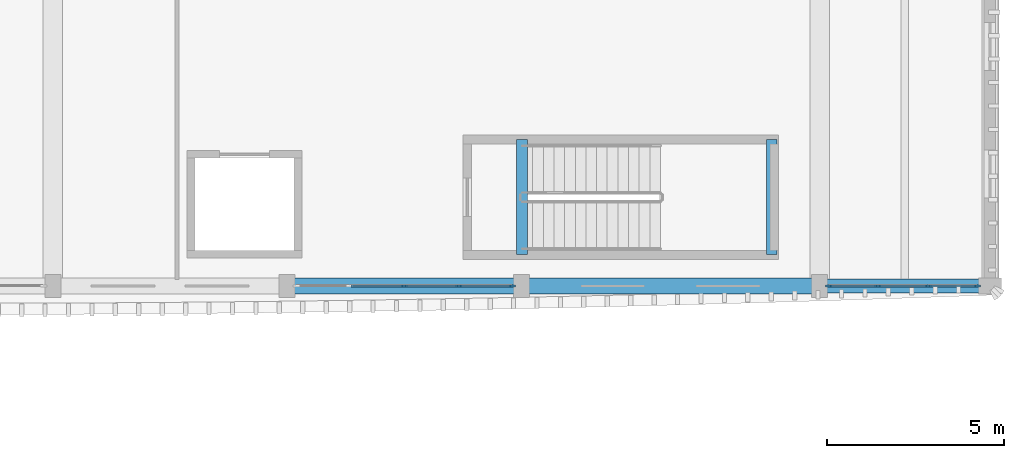
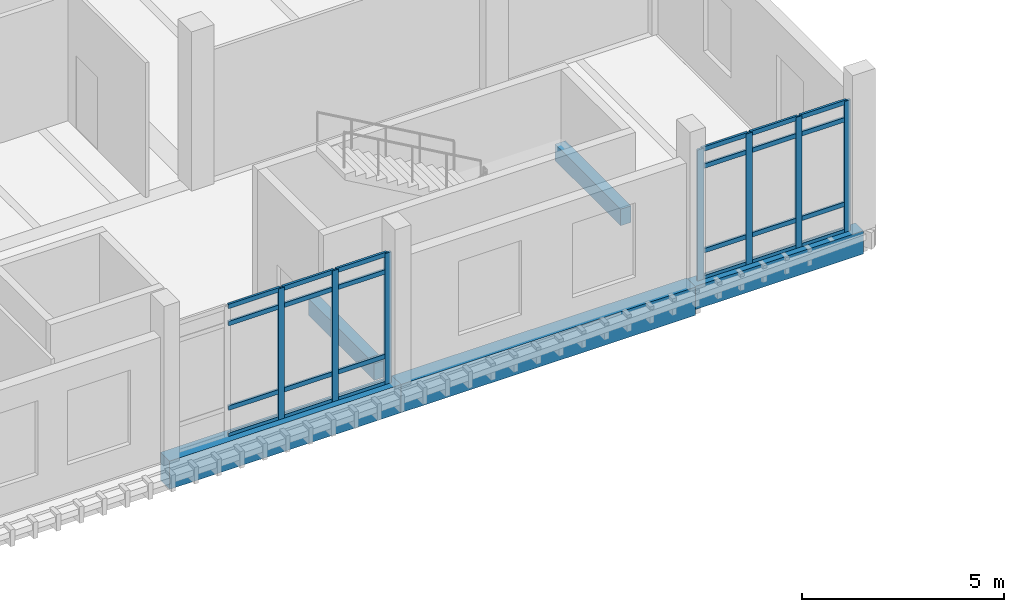
# One storey, part 29 of 76: 31 members, 5 beams, 2 elements without a shape of their own.
"""IFC4 building model written with IfcOpenShell, lengths in metres."""

from ifc_helpers import new_model, si_unit, direction, frame, origin, origin_2d, place, context, subcontext, project, spatial, rectangle, extrude, material, material_profile, profile_set, type_object, element, aggregate, save


model = new_model("IFC4")

# Units and contexts
model_context = context("Model", 3, precision=1e-05, world=origin(), true_north=direction((0.0, 1.0)))
body_context = subcontext(model_context, "Body", "Model", "MODEL_VIEW")
ifc_project = project(units=[si_unit("LENGTHUNIT", "METRE"), si_unit("AREAUNIT", "SQUARE_METRE"), si_unit("VOLUMEUNIT", "CUBIC_METRE"), si_unit("PLANEANGLEUNIT", "RADIAN"), si_unit("MASSUNIT", "GRAM", prefix="KILO")], contexts=[model_context])

# Site, building, storey
site_placement = place(None, origin())
site = spatial("IfcSite", under=ifc_project, at=site_placement, CompositionType="ELEMENT")
building_placement = place(site_placement, origin())
building = spatial("IfcBuilding", under=site, at=building_placement, Name="Dornvale Research Institute", CompositionType="ELEMENT")
storey_placement = place(building_placement, frame((0.0, 0.0, 15.0)))
storey = spatial("IfcBuildingStorey", under=building, at=storey_placement, Name="L03", CompositionType="ELEMENT", Elevation=15.0)

# Beams
ifc_material_1 = material(Name="Concrete f'c 45 MPa (C35/45)", Category="concrete")
ifc_material_profile_1 = material_profile(ifc_material_1, rectangle(XDim=0.300048828125, YDim=0.5, at=origin_2d()), Name="RC 300x500")
ifc_profile_set_1 = profile_set([ifc_material_profile_1], Name="Concrete f'c 45 MPa (C35/45)")
beam_type_1 = type_object("IfcBeamType", Name="Beam_RC300x500_Trim", PredefinedType="BEAM", material=ifc_profile_set_1)
for number, where, z_axis, x_axis, name in (
    (1, (165.02001953125, 93.280029296875, -0.25), (0.0, 1.0, 0.0), (-1.0, 0.0, 0.0), "L03 ST-4 stair landing trimmer beam #65"),
    (2, (172.050048828125, 93.280029296875, 1.949951171875), (0.0, 1.0, 0.0), (-1.0, 0.0, 0.0), "L03 ST-4 half-landing support beam #74"),
):
    element("IfcBeam", number, at=place(storey_placement, frame(where, z_axis=z_axis, x_axis=x_axis)), inside=storey, type_object=beam_type_1, Name=name, PredefinedType="BEAM", context=body_context, shape_type="SweptSolid", body=[
        extrude(rectangle(XDim=0.300048828125, YDim=0.5, at=origin_2d()), origin(), (0.0, 0.0, 1.0), 3.239990234375),
    ])

# Curtain wall, members
ifc_material_2 = material(Name="Low-E Argon Double Insulating Glazing Unit", Category="glass")
curtain_wall_type_1 = type_object("IfcCurtainWallType", Name="UnitisedCurtainWall_V4_4250x3950", PredefinedType="USERDEFINED", material=ifc_material_2)
curtain_wall_1_placement = place(storey_placement, origin())
curtain_wall_1 = element("IfcCurtainWall", 3, at=curtain_wall_1_placement, inside=storey, type_object=curtain_wall_type_1, Name="L03 V4 unitised curtain wall CW-17 #95", ObjectType="UNITISED CURTAIN WALL", PredefinedType="USERDEFINED")
ifc_material_3 = material(Name="Anodized Aluminum AA 6063-T6 Thermally Broken Frame", Category="aluminium")
ifc_material_profile_2 = material_profile(ifc_material_3, rectangle(XDim=0.06494140625, YDim=0.179931640625, at=origin_2d()), Name="ALU MULLION 65x180")
ifc_profile_set_2 = profile_set([ifc_material_profile_2], Name="Anodized Aluminum AA 6063-T6 Thermally Broken Frame")
member_type_1 = type_object("IfcMemberType", Name="Mullion_CW_65x180", PredefinedType="MULLION", material=ifc_profile_set_2)
member_1_placement = place(storey_placement, frame((177.842529296875, 92.39990234375, 0.0), z_axis=(0.0, 0.0, 1.0), x_axis=(0.0, -1.0, 0.0)))
member_1 = element("IfcMember", 4, at=member_1_placement, type_object=member_type_1, Name="CW-17 mullion 1", PredefinedType="MULLION", context=body_context, shape_type="SweptSolid", body=[
    extrude(rectangle(XDim=0.06494140625, YDim=0.179931640625, at=origin_2d()), origin(), (0.0, 0.0, 1.0), 3.949951171875),
])
member_2_placement = place(storey_placement, frame((176.458251953125, 92.39990234375, 0.0), z_axis=(0.0, 0.0, 1.0), x_axis=(0.0, -1.0, 0.0)))
member_2 = element("IfcMember", 5, at=member_2_placement, type_object=member_type_1, Name="CW-17 mullion 2", PredefinedType="MULLION", context=body_context, shape_type="SweptSolid", body=[
    extrude(rectangle(XDim=0.06494140625, YDim=0.179931640625, at=origin_2d()), origin(), (0.0, 0.0, 1.0), 3.949951171875),
])
member_3_placement = place(storey_placement, frame((175.041748046875, 92.39990234375, 0.0), z_axis=(0.0, 0.0, 1.0), x_axis=(0.0, -1.0, 0.0)))
member_3 = element("IfcMember", 6, at=member_3_placement, type_object=member_type_1, Name="CW-17 mullion 3", PredefinedType="MULLION", context=body_context, shape_type="SweptSolid", body=[
    extrude(rectangle(XDim=0.06494140625, YDim=0.179931640625, at=origin_2d()), origin(), (0.0, 0.0, 1.0), 3.949951171875),
])
member_4_placement = place(storey_placement, frame((173.657470703125, 92.39990234375, 0.0), z_axis=(0.0, 0.0, 1.0), x_axis=(0.0, -1.0, 0.0)))
member_4 = element("IfcMember", 7, at=member_4_placement, type_object=member_type_1, Name="CW-17 mullion 4", PredefinedType="MULLION", context=body_context, shape_type="SweptSolid", body=[
    extrude(rectangle(XDim=0.06494140625, YDim=0.179931640625, at=origin_2d()), origin(), (0.0, 0.0, 1.0), 3.949951171875),
])

ifc_material_4 = material(Name="Low-E Argon Double Insulating Glazing Unit", Category="glass")
curtain_wall_type_2 = type_object("IfcCurtainWallType", Name="UnitisedCurtainWall_V4_6150x3950", PredefinedType="USERDEFINED", material=ifc_material_4)
curtain_wall_2_placement = place(storey_placement, origin())
curtain_wall_2 = element("IfcCurtainWall", 8, at=curtain_wall_2_placement, inside=storey, type_object=curtain_wall_type_2, Name="L03 V4 unitised curtain wall CW-15 #96", ObjectType="UNITISED CURTAIN WALL", PredefinedType="USERDEFINED")
member_5_placement = place(storey_placement, frame((164.742431640625, 92.39990234375, 0.0), z_axis=(0.0, 0.0, 1.0), x_axis=(0.0, -1.0, 0.0)))
member_5 = element("IfcMember", 9, at=member_5_placement, type_object=member_type_1, Name="CW-15 mullion 1", PredefinedType="MULLION", context=body_context, shape_type="SweptSolid", body=[
    extrude(rectangle(XDim=0.06494140625, YDim=0.179931640625, at=origin_2d()), origin(), (0.0, 0.0, 1.0), 3.949951171875),
])
member_6_placement = place(storey_placement, frame((163.237548828125, 92.39990234375, 0.0), z_axis=(0.0, 0.0, 1.0), x_axis=(0.0, -1.0, 0.0)))
member_6 = element("IfcMember", 10, at=member_6_placement, type_object=member_type_1, Name="CW-15 mullion 2", PredefinedType="MULLION", context=body_context, shape_type="SweptSolid", body=[
    extrude(rectangle(XDim=0.06494140625, YDim=0.179931640625, at=origin_2d()), origin(), (0.0, 0.0, 1.0), 3.949951171875),
])
member_7_placement = place(storey_placement, frame((161.699951171875, 92.39990234375, 0.0), z_axis=(0.0, 0.0, 1.0), x_axis=(0.0, -1.0, 0.0)))
member_7 = element("IfcMember", 11, at=member_7_placement, type_object=member_type_1, Name="CW-15 mullion 3", PredefinedType="MULLION", context=body_context, shape_type="SweptSolid", body=[
    extrude(rectangle(XDim=0.06494140625, YDim=0.179931640625, at=origin_2d()), origin(), (0.0, 0.0, 1.0), 3.949951171875),
])

# Beams
ifc_material_5 = material(Name="Concrete f'c 45 MPa (C35/45)", Category="concrete")
ifc_material_profile_3 = material_profile(ifc_material_5, rectangle(XDim=0.39990234375, YDim=0.699951171875, at=origin_2d()), Name="RC 400x700")
ifc_profile_set_3 = profile_set([ifc_material_profile_3], Name="Concrete f'c 45 MPa (C35/45)")
beam_type_2 = type_object("IfcBeamType", Name="Spandrel_RC400x700_Ext", PredefinedType="SPANDREL", material=ifc_profile_set_3)
beam_1_placement = place(storey_placement, frame((173.39990234375, 92.39990234375, -0.35009765625), z_axis=(1.0, 0.0, 0.0), x_axis=(0.0, 1.0, 0.0)))
element("IfcBeam", 12, at=beam_1_placement, inside=storey, type_object=beam_type_2, Name="L03 perimeter spandrel #924", PredefinedType="SPANDREL", context=body_context, shape_type="SweptSolid", body=[
    extrude(rectangle(XDim=0.39990234375, YDim=0.699951171875, at=origin_2d()), origin(), (0.0, 0.0, 1.0), 4.800048828125),
])
ifc_material_6 = material(Name="Concrete f'c 45 MPa (C35/45)", Category="concrete")
ifc_material_profile_4 = material_profile(ifc_material_6, rectangle(XDim=0.449951171875, YDim=0.85009765625, at=origin_2d()), Name="RC 450x850")
ifc_profile_set_4 = profile_set([ifc_material_profile_4], Name="Concrete f'c 45 MPa (C35/45)")
beam_type_3 = type_object("IfcBeamType", Name="Spandrel_RC450x850_Ext", PredefinedType="SPANDREL", material=ifc_profile_set_4)
beam_2_placement = place(storey_placement, frame((158.39990234375, 92.39990234375, -0.425048828125), z_axis=(1.0, 0.0, 0.0), x_axis=(0.0, 1.0, 0.0)))
element("IfcBeam", 13, at=beam_2_placement, inside=storey, type_object=beam_type_3, Name="L03 perimeter spandrel #922", PredefinedType="SPANDREL", context=body_context, shape_type="SweptSolid", body=[
    extrude(rectangle(XDim=0.449951171875, YDim=0.85009765625, at=origin_2d()), origin(), (0.0, 0.0, 1.0), 6.60009765625),
])
beam_3_placement = place(storey_placement, frame((165.0, 92.39990234375, -0.425048828125), z_axis=(1.0, 0.0, 0.0), x_axis=(0.0, 1.0, 0.0)))
element("IfcBeam", 14, at=beam_3_placement, inside=storey, type_object=beam_type_3, Name="L03 perimeter spandrel #923", PredefinedType="SPANDREL", context=body_context, shape_type="SweptSolid", body=[
    extrude(rectangle(XDim=0.449951171875, YDim=0.85009765625, at=origin_2d()), origin(), (0.0, 0.0, 1.0), 8.39990234375),
])

# Member
ifc_material_7 = material(Name="Anodized Aluminum AA 6063-T6 Thermally Broken Frame", Category="aluminium")
ifc_material_profile_5 = material_profile(ifc_material_7, rectangle(XDim=0.06494140625, YDim=0.135009765625, at=origin_2d()), Name="ALU TRANSOM 65x135")
ifc_profile_set_5 = profile_set([ifc_material_profile_5], Name="Anodized Aluminum AA 6063-T6 Thermally Broken Frame")
member_type_2 = type_object("IfcMemberType", Name="Transom_CW_65x135", PredefinedType="USERDEFINED", material=ifc_profile_set_5)
member_8_placement = place(storey_placement, frame((177.81005859375, 92.39990234375, 0.032470703125), z_axis=(-1.0, 0.0, 0.0), x_axis=(0.0, -1.0, 0.0)))
member_8 = element("IfcMember", 15, at=member_8_placement, type_object=member_type_2, Name="CW-17 transom 1.1", ObjectType="TRANSOM", PredefinedType="USERDEFINED", context=body_context, shape_type="SweptSolid", body=[
    extrude(rectangle(XDim=0.06494140625, YDim=0.135009765625, at=origin_2d()), origin(), (0.0, 0.0, 1.0), 1.3193359375),
])

member_9_placement = place(storey_placement, frame((177.81005859375, 92.39990234375, 0.85009765625), z_axis=(-1.0, 0.0, 0.0), x_axis=(0.0, -1.0, 0.0)))
member_9 = element("IfcMember", 16, at=member_9_placement, type_object=member_type_2, Name="CW-17 transom 1.2", ObjectType="TRANSOM", PredefinedType="USERDEFINED", context=body_context, shape_type="SweptSolid", body=[
    extrude(rectangle(XDim=0.06494140625, YDim=0.135009765625, at=origin_2d()), origin(), (0.0, 0.0, 1.0), 1.3193359375),
])

member_10_placement = place(storey_placement, frame((177.81005859375, 92.39990234375, 3.39990234375), z_axis=(-1.0, 0.0, 0.0), x_axis=(0.0, -1.0, 0.0)))
member_10 = element("IfcMember", 17, at=member_10_placement, type_object=member_type_2, Name="CW-17 transom 1.3", ObjectType="TRANSOM", PredefinedType="USERDEFINED", context=body_context, shape_type="SweptSolid", body=[
    extrude(rectangle(XDim=0.06494140625, YDim=0.135009765625, at=origin_2d()), origin(), (0.0, 0.0, 1.0), 1.3193359375),
])

member_11_placement = place(storey_placement, frame((177.81005859375, 92.39990234375, 3.91748046875), z_axis=(-1.0, 0.0, 0.0), x_axis=(0.0, -1.0, 0.0)))
member_11 = element("IfcMember", 18, at=member_11_placement, type_object=member_type_2, Name="CW-17 transom 1.4", ObjectType="TRANSOM", PredefinedType="USERDEFINED", context=body_context, shape_type="SweptSolid", body=[
    extrude(rectangle(XDim=0.06494140625, YDim=0.135009765625, at=origin_2d()), origin(), (0.0, 0.0, 1.0), 1.3193359375),
])

member_12_placement = place(storey_placement, frame((176.42578125, 92.39990234375, 0.032470703125), z_axis=(-1.0, 0.0, 0.0), x_axis=(0.0, -1.0, 0.0)))
member_12 = element("IfcMember", 19, at=member_12_placement, type_object=member_type_2, Name="CW-17 transom 2.1", ObjectType="TRANSOM", PredefinedType="USERDEFINED", context=body_context, shape_type="SweptSolid", body=[
    extrude(rectangle(XDim=0.06494140625, YDim=0.135009765625, at=origin_2d()), origin(), (0.0, 0.0, 1.0), 1.3515625),
])

member_13_placement = place(storey_placement, frame((176.42578125, 92.39990234375, 0.85009765625), z_axis=(-1.0, 0.0, 0.0), x_axis=(0.0, -1.0, 0.0)))
member_13 = element("IfcMember", 20, at=member_13_placement, type_object=member_type_2, Name="CW-17 transom 2.2", ObjectType="TRANSOM", PredefinedType="USERDEFINED", context=body_context, shape_type="SweptSolid", body=[
    extrude(rectangle(XDim=0.06494140625, YDim=0.135009765625, at=origin_2d()), origin(), (0.0, 0.0, 1.0), 1.3515625),
])

member_14_placement = place(storey_placement, frame((176.42578125, 92.39990234375, 3.39990234375), z_axis=(-1.0, 0.0, 0.0), x_axis=(0.0, -1.0, 0.0)))
member_14 = element("IfcMember", 21, at=member_14_placement, type_object=member_type_2, Name="CW-17 transom 2.3", ObjectType="TRANSOM", PredefinedType="USERDEFINED", context=body_context, shape_type="SweptSolid", body=[
    extrude(rectangle(XDim=0.06494140625, YDim=0.135009765625, at=origin_2d()), origin(), (0.0, 0.0, 1.0), 1.3515625),
])

member_15_placement = place(storey_placement, frame((176.42578125, 92.39990234375, 3.91748046875), z_axis=(-1.0, 0.0, 0.0), x_axis=(0.0, -1.0, 0.0)))
member_15 = element("IfcMember", 22, at=member_15_placement, type_object=member_type_2, Name="CW-17 transom 2.4", ObjectType="TRANSOM", PredefinedType="USERDEFINED", context=body_context, shape_type="SweptSolid", body=[
    extrude(rectangle(XDim=0.06494140625, YDim=0.135009765625, at=origin_2d()), origin(), (0.0, 0.0, 1.0), 1.3515625),
])

member_16_placement = place(storey_placement, frame((175.00927734375, 92.39990234375, 0.032470703125), z_axis=(-1.0, 0.0, 0.0), x_axis=(0.0, -1.0, 0.0)))
member_16 = element("IfcMember", 23, at=member_16_placement, type_object=member_type_2, Name="CW-17 transom 3.1", ObjectType="TRANSOM", PredefinedType="USERDEFINED", context=body_context, shape_type="SweptSolid", body=[
    extrude(rectangle(XDim=0.06494140625, YDim=0.135009765625, at=origin_2d()), origin(), (0.0, 0.0, 1.0), 1.3193359375),
])

member_17_placement = place(storey_placement, frame((175.00927734375, 92.39990234375, 0.85009765625), z_axis=(-1.0, 0.0, 0.0), x_axis=(0.0, -1.0, 0.0)))
member_17 = element("IfcMember", 24, at=member_17_placement, type_object=member_type_2, Name="CW-17 transom 3.2", ObjectType="TRANSOM", PredefinedType="USERDEFINED", context=body_context, shape_type="SweptSolid", body=[
    extrude(rectangle(XDim=0.06494140625, YDim=0.135009765625, at=origin_2d()), origin(), (0.0, 0.0, 1.0), 1.3193359375),
])

member_18_placement = place(storey_placement, frame((175.00927734375, 92.39990234375, 3.39990234375), z_axis=(-1.0, 0.0, 0.0), x_axis=(0.0, -1.0, 0.0)))
member_18 = element("IfcMember", 25, at=member_18_placement, type_object=member_type_2, Name="CW-17 transom 3.3", ObjectType="TRANSOM", PredefinedType="USERDEFINED", context=body_context, shape_type="SweptSolid", body=[
    extrude(rectangle(XDim=0.06494140625, YDim=0.135009765625, at=origin_2d()), origin(), (0.0, 0.0, 1.0), 1.3193359375),
])

member_19_placement = place(storey_placement, frame((175.00927734375, 92.39990234375, 3.91748046875), z_axis=(-1.0, 0.0, 0.0), x_axis=(0.0, -1.0, 0.0)))
member_19 = element("IfcMember", 26, at=member_19_placement, type_object=member_type_2, Name="CW-17 transom 3.4", ObjectType="TRANSOM", PredefinedType="USERDEFINED", context=body_context, shape_type="SweptSolid", body=[
    extrude(rectangle(XDim=0.06494140625, YDim=0.135009765625, at=origin_2d()), origin(), (0.0, 0.0, 1.0), 1.3193359375),
])

aggregate(curtain_wall_1, [member_1, member_2, member_3, member_4, member_8, member_9, member_10, member_11, member_12, member_13, member_14, member_15, member_16, member_17, member_18, member_19])

member_20_placement = place(storey_placement, frame((164.7099609375, 92.39990234375, 0.032470703125), z_axis=(-1.0, 0.0, 0.0), x_axis=(0.0, -1.0, 0.0)))
member_20 = element("IfcMember", 27, at=member_20_placement, type_object=member_type_2, Name="CW-15 transom 1.1", ObjectType="TRANSOM", PredefinedType="USERDEFINED", context=body_context, shape_type="SweptSolid", body=[
    extrude(rectangle(XDim=0.06494140625, YDim=0.135009765625, at=origin_2d()), origin(), (0.0, 0.0, 1.0), 1.43994140625),
])

member_21_placement = place(storey_placement, frame((164.7099609375, 92.39990234375, 0.85009765625), z_axis=(-1.0, 0.0, 0.0), x_axis=(0.0, -1.0, 0.0)))
member_21 = element("IfcMember", 28, at=member_21_placement, type_object=member_type_2, Name="CW-15 transom 1.2", ObjectType="TRANSOM", PredefinedType="USERDEFINED", context=body_context, shape_type="SweptSolid", body=[
    extrude(rectangle(XDim=0.06494140625, YDim=0.135009765625, at=origin_2d()), origin(), (0.0, 0.0, 1.0), 1.43994140625),
])

member_22_placement = place(storey_placement, frame((164.7099609375, 92.39990234375, 3.39990234375), z_axis=(-1.0, 0.0, 0.0), x_axis=(0.0, -1.0, 0.0)))
member_22 = element("IfcMember", 29, at=member_22_placement, type_object=member_type_2, Name="CW-15 transom 1.3", ObjectType="TRANSOM", PredefinedType="USERDEFINED", context=body_context, shape_type="SweptSolid", body=[
    extrude(rectangle(XDim=0.06494140625, YDim=0.135009765625, at=origin_2d()), origin(), (0.0, 0.0, 1.0), 1.43994140625),
])

member_23_placement = place(storey_placement, frame((164.7099609375, 92.39990234375, 3.91748046875), z_axis=(-1.0, 0.0, 0.0), x_axis=(0.0, -1.0, 0.0)))
member_23 = element("IfcMember", 30, at=member_23_placement, type_object=member_type_2, Name="CW-15 transom 1.4", ObjectType="TRANSOM", PredefinedType="USERDEFINED", context=body_context, shape_type="SweptSolid", body=[
    extrude(rectangle(XDim=0.06494140625, YDim=0.135009765625, at=origin_2d()), origin(), (0.0, 0.0, 1.0), 1.43994140625),
])

member_24_placement = place(storey_placement, frame((163.205078125, 92.39990234375, 0.032470703125), z_axis=(-1.0, 0.0, 0.0), x_axis=(0.0, -1.0, 0.0)))
member_24 = element("IfcMember", 31, at=member_24_placement, type_object=member_type_2, Name="CW-15 transom 2.1", ObjectType="TRANSOM", PredefinedType="USERDEFINED", context=body_context, shape_type="SweptSolid", body=[
    extrude(rectangle(XDim=0.06494140625, YDim=0.135009765625, at=origin_2d()), origin(), (0.0, 0.0, 1.0), 1.47265625),
])

member_25_placement = place(storey_placement, frame((163.205078125, 92.39990234375, 0.85009765625), z_axis=(-1.0, 0.0, 0.0), x_axis=(0.0, -1.0, 0.0)))
member_25 = element("IfcMember", 32, at=member_25_placement, type_object=member_type_2, Name="CW-15 transom 2.2", ObjectType="TRANSOM", PredefinedType="USERDEFINED", context=body_context, shape_type="SweptSolid", body=[
    extrude(rectangle(XDim=0.06494140625, YDim=0.135009765625, at=origin_2d()), origin(), (0.0, 0.0, 1.0), 1.47265625),
])

member_26_placement = place(storey_placement, frame((163.205078125, 92.39990234375, 3.39990234375), z_axis=(-1.0, 0.0, 0.0), x_axis=(0.0, -1.0, 0.0)))
member_26 = element("IfcMember", 33, at=member_26_placement, type_object=member_type_2, Name="CW-15 transom 2.3", ObjectType="TRANSOM", PredefinedType="USERDEFINED", context=body_context, shape_type="SweptSolid", body=[
    extrude(rectangle(XDim=0.06494140625, YDim=0.135009765625, at=origin_2d()), origin(), (0.0, 0.0, 1.0), 1.47265625),
])

member_27_placement = place(storey_placement, frame((163.205078125, 92.39990234375, 3.91748046875), z_axis=(-1.0, 0.0, 0.0), x_axis=(0.0, -1.0, 0.0)))
member_27 = element("IfcMember", 34, at=member_27_placement, type_object=member_type_2, Name="CW-15 transom 2.4", ObjectType="TRANSOM", PredefinedType="USERDEFINED", context=body_context, shape_type="SweptSolid", body=[
    extrude(rectangle(XDim=0.06494140625, YDim=0.135009765625, at=origin_2d()), origin(), (0.0, 0.0, 1.0), 1.47265625),
])

member_28_placement = place(storey_placement, frame((161.66748046875, 92.39990234375, 0.032470703125), z_axis=(-1.0, 0.0, 0.0), x_axis=(0.0, -1.0, 0.0)))
member_28 = element("IfcMember", 35, at=member_28_placement, type_object=member_type_2, Name="CW-15 transom 3.1", ObjectType="TRANSOM", PredefinedType="USERDEFINED", context=body_context, shape_type="SweptSolid", body=[
    extrude(rectangle(XDim=0.06494140625, YDim=0.135009765625, at=origin_2d()), origin(), (0.0, 0.0, 1.0), 1.472412109375),
])

member_29_placement = place(storey_placement, frame((161.66748046875, 92.39990234375, 0.85009765625), z_axis=(-1.0, 0.0, 0.0), x_axis=(0.0, -1.0, 0.0)))
member_29 = element("IfcMember", 36, at=member_29_placement, type_object=member_type_2, Name="CW-15 transom 3.2", ObjectType="TRANSOM", PredefinedType="USERDEFINED", context=body_context, shape_type="SweptSolid", body=[
    extrude(rectangle(XDim=0.06494140625, YDim=0.135009765625, at=origin_2d()), origin(), (0.0, 0.0, 1.0), 1.472412109375),
])

member_30_placement = place(storey_placement, frame((161.66748046875, 92.39990234375, 3.39990234375), z_axis=(-1.0, 0.0, 0.0), x_axis=(0.0, -1.0, 0.0)))
member_30 = element("IfcMember", 37, at=member_30_placement, type_object=member_type_2, Name="CW-15 transom 3.3", ObjectType="TRANSOM", PredefinedType="USERDEFINED", context=body_context, shape_type="SweptSolid", body=[
    extrude(rectangle(XDim=0.06494140625, YDim=0.135009765625, at=origin_2d()), origin(), (0.0, 0.0, 1.0), 1.472412109375),
])

member_31_placement = place(storey_placement, frame((161.66748046875, 92.39990234375, 3.91748046875), z_axis=(-1.0, 0.0, 0.0), x_axis=(0.0, -1.0, 0.0)))
member_31 = element("IfcMember", 38, at=member_31_placement, type_object=member_type_2, Name="CW-15 transom 3.4", ObjectType="TRANSOM", PredefinedType="USERDEFINED", context=body_context, shape_type="SweptSolid", body=[
    extrude(rectangle(XDim=0.06494140625, YDim=0.135009765625, at=origin_2d()), origin(), (0.0, 0.0, 1.0), 1.472412109375),
])

aggregate(curtain_wall_2, [member_5, member_6, member_7, member_20, member_21, member_22, member_23, member_24, member_25, member_26, member_27, member_28, member_29, member_30, member_31])

save(model, "model.ifc")
